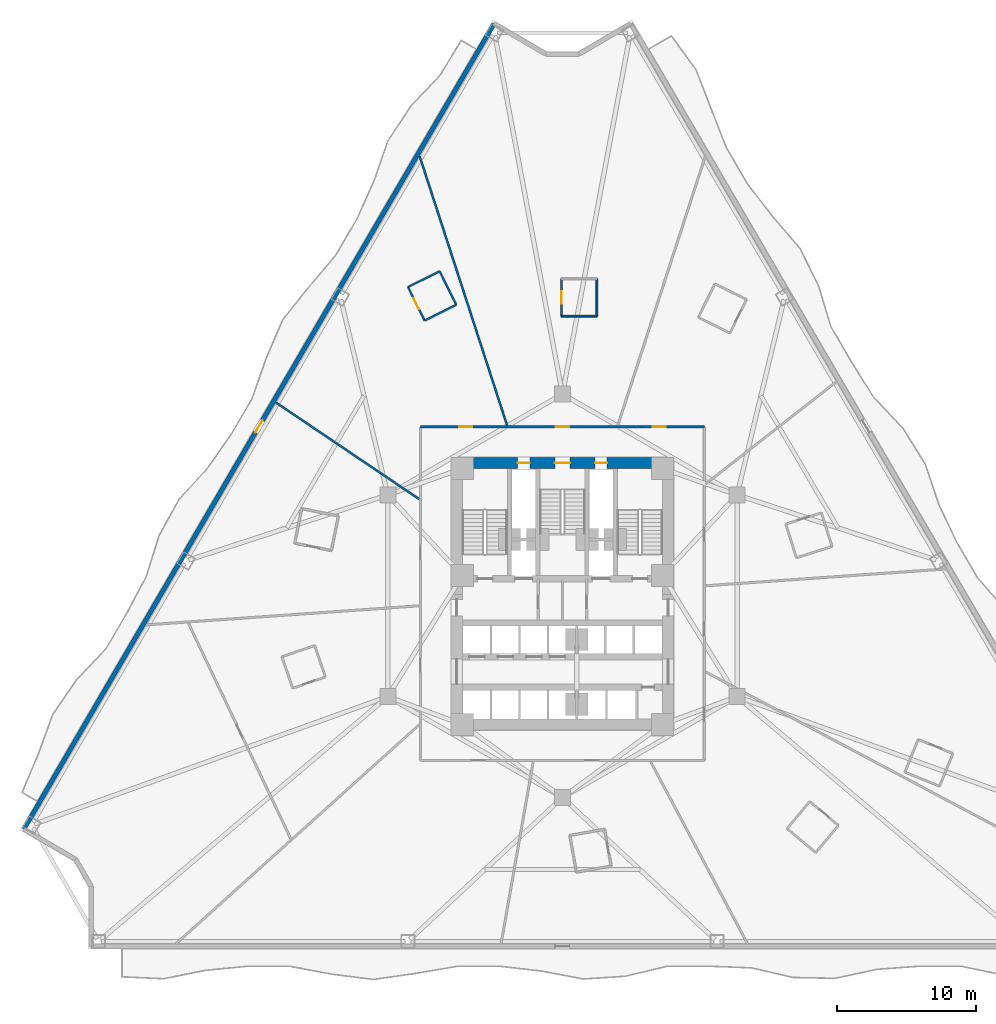
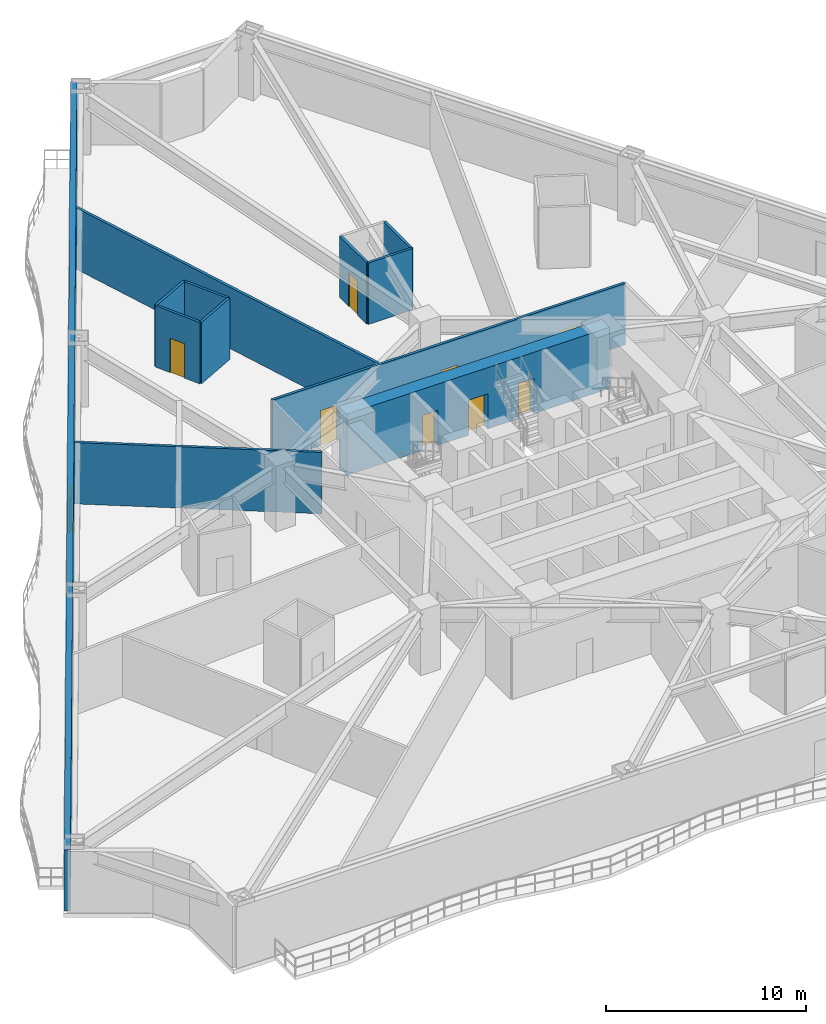
# One storey, part 6 of 12: 12 walls, 9 doors, 9 openings.
"""IFC4 building model written with IfcOpenShell, lengths in metres."""

from ifc_helpers import new_model, si_unit, direction, frame, frame_2d, origin, place, context, subcontext, project, spatial, rectangle, extrude, material, layer, layer_set, type_object, element, fill, save


model = new_model("IFC4")

# Units and contexts
model_context = context("Model", 3, precision=1e-05, world=origin(), true_north=direction((0.0, 1.0)))
body_context = subcontext(model_context, "Body", "Model", "MODEL_VIEW")
ifc_project = project(units=[si_unit("LENGTHUNIT", "METRE"), si_unit("AREAUNIT", "SQUARE_METRE"), si_unit("VOLUMEUNIT", "CUBIC_METRE"), si_unit("PLANEANGLEUNIT", "RADIAN"), si_unit("MASSUNIT", "GRAM", prefix="KILO")], contexts=[model_context])

# Site, building, storey
site_placement = place(None, origin())
site = spatial("IfcSite", under=ifc_project, at=site_placement, CompositionType="ELEMENT")
building_placement = place(site_placement, origin())
building = spatial("IfcBuilding", under=site, at=building_placement, Name="Apsidion Concourse Tower", CompositionType="ELEMENT")
storey_placement = place(building_placement, frame((0.0, 0.0, 34.39990234375)))
storey = spatial("IfcBuildingStorey", under=building, at=storey_placement, Name="L06", CompositionType="ELEMENT", Elevation=34.39990234375)

# Wall, opening, door
ifc_material_1 = material(Name="Precast concrete C40/50", Category="concrete")
ifc_layer_1 = layer(ifc_material_1, 0.320068359375)
ifc_layer_set_1 = layer_set([ifc_layer_1], Name="Precast concrete C40/50")
wall_type_1 = type_object("IfcWallType", Name="WL-EXT-320", PredefinedType="STANDARD", material=ifc_layer_set_1)
wall_1_placement = place(storey_placement, frame((-38.725830078125, -16.7734375, 0.0), z_axis=(0.0, 0.0, 1.0), x_axis=(0.504213113214, 0.863579258935, 0.0)))
wall_1 = element("IfcWall", 1, at=wall_1_placement, inside=storey, type_object=wall_type_1, Name="L06 Precast Stone Facade Wall 09", PredefinedType="STANDARD", context=body_context, shape_type="SweptSolid", body=[
    extrude(rectangle(XDim=67.041015625, YDim=0.320068359375, at=frame_2d((33.5205078125, 0.0))), origin(), (0.0, 0.0, 1.0), 3.75),
])
opening_1_placement = place(wall_1_placement, frame((33.0205078125, 0.0, 0.0)))
opening_1 = element("IfcOpeningElement", 2, at=opening_1_placement, cuts=wall_1, Name="Opening D-T1L", PredefinedType="OPENING", context=body_context, shape_type="SweptSolid", body=[
    extrude(rectangle(XDim=1.0, YDim=2.14990234375, at=frame_2d((0.5, 1.074951171875))), frame((0.0, 0.169921875, 0.0), z_axis=(0.0, -1.0, 0.0), x_axis=(1.0, 0.0, 0.0)), (0.0, 0.0, 1.0), 0.340087890625),
])
ifc_material_2 = material(Name="Anodised aluminium EN AW-6063 T6", Category="aluminium")
door_type_1 = type_object("IfcDoorType", Name="DR-TER-1022L", OperationType="SINGLE_SWING_LEFT", PredefinedType="DOOR", material=ifc_material_2)
door_1_placement = place(opening_1_placement, origin())
door_1 = element("IfcDoor", 3, at=door_1_placement, inside=storey, type_object=door_type_1, Name="L06 Balcony Access Door 1", OperationType="SINGLE_SWING_LEFT", OverallHeight=2.14990234375, OverallWidth=1.0, PredefinedType="DOOR", context=body_context, shape_type="SweptSolid", body=[
    extrude(rectangle(XDim=1.0, YDim=2.14990234375, at=frame_2d((0.5, 1.074951171875))), frame((0.0, 0.02490234375, 0.0), z_axis=(0.0, -1.0, 0.0), x_axis=(1.0, 0.0, 0.0)), (0.0, 0.0, 1.0), 0.050048828125),
])
fill(opening_1, door_1)

# Wall
ifc_material_3 = material(Name="Gypsum plasterboard partition")
ifc_layer_2 = layer(ifc_material_3, 0.139892578125)
ifc_layer_set_2 = layer_set([ifc_layer_2], Name="Gypsum plasterboard partition")
wall_type_2 = type_object("IfcWallType", Name="WL-INT-PAR-140", PredefinedType="PARTITIONING", material=ifc_layer_set_2)
wall_2_placement = place(storey_placement, frame((2.469970703125, 20.103759765625, 0.0), z_axis=(0.0, 0.0, 1.0), x_axis=(0.0, 1.0, 0.0)))
element("IfcWall", 4, at=wall_2_placement, inside=storey, type_object=wall_type_2, Name="L06 Interior Partition WL-L06-POD-ENS07-S1", PredefinedType="PARTITIONING", context=body_context, shape_type="SweptSolid", body=[
    extrude(rectangle(XDim=2.68994140625, YDim=0.139892578125, at=frame_2d((1.344970703125, 0.0))), origin(), (0.0, 0.0, 1.0), 3.75),
])

# Wall, opening, door
wall_3_placement = place(storey_placement, frame((-0.070068359375, 22.793701171875, 0.0), z_axis=(0.0, 0.0, 1.0), x_axis=(0.0, -1.0, 0.0)))
wall_3 = element("IfcWall", 5, at=wall_3_placement, inside=storey, type_object=wall_type_2, Name="L06 Interior Partition WL-L06-POD-ENS07-S3", PredefinedType="PARTITIONING", context=body_context, shape_type="SweptSolid", body=[
    extrude(rectangle(XDim=2.68994140625, YDim=0.139892578125, at=frame_2d((1.344970703125, 0.0))), origin(), (0.0, 0.0, 1.0), 3.75),
])
opening_2_placement = place(wall_3_placement, frame((0.905029296875, 0.0, 0.0)))
opening_2 = element("IfcOpeningElement", 6, at=opening_2_placement, cuts=wall_3, Name="Opening D-03R", PredefinedType="OPENING", context=body_context, shape_type="SweptSolid", body=[
    extrude(rectangle(XDim=0.8798828125, YDim=2.10009765625, at=frame_2d((0.43994140625, 1.050048828125))), frame((0.0, 0.080078125, 0.0), z_axis=(0.0, -1.0, 0.0), x_axis=(1.0, 0.0, 0.0)), (0.0, 0.0, 1.0), 0.159912109375),
])
door_type_2 = type_object("IfcDoorType", Name="DR-INT-D03R", OperationType="SINGLE_SWING_RIGHT", PredefinedType="DOOR", material=ifc_material_2)
door_2_placement = place(opening_2_placement, origin())
door_2 = element("IfcDoor", 7, at=door_2_placement, inside=storey, type_object=door_type_2, Name="L06 Guest En-Suite Bathroom Door ENS07", OperationType="SINGLE_SWING_RIGHT", OverallHeight=2.10009765625, OverallWidth=0.8798828125, PredefinedType="DOOR", context=body_context, shape_type="SweptSolid", body=[
    extrude(rectangle(XDim=0.8798828125, YDim=2.10009765625, at=frame_2d((0.43994140625, 1.050048828125))), frame((0.0, 0.02490234375, 0.0), z_axis=(0.0, -1.0, 0.0), x_axis=(1.0, 0.0, 0.0)), (0.0, 0.0, 1.0), 0.050048828125),
])
fill(opening_2, door_2)

# Walls
wall_4_placement = place(storey_placement, frame((-0.070068359375, 20.103759765625, 0.0), z_axis=(0.0, 0.0, 1.0), x_axis=(1.0, 0.0, 0.0)))
element("IfcWall", 8, at=wall_4_placement, inside=storey, type_object=wall_type_2, Name="L06 Interior Partition WL-L06-POD-ENS07-S4", PredefinedType="PARTITIONING", context=body_context, shape_type="SweptSolid", body=[
    extrude(rectangle(XDim=2.5400390625, YDim=0.139892578125, at=frame_2d((1.27001953125, 0.0))), origin(), (0.0, 0.0, 1.0), 3.75),
])
wall_5_placement = place(storey_placement, frame((-7.634521484375, 20.919921875, 0.0), z_axis=(0.0, 0.0, 1.0), x_axis=(-0.444598005218, 0.895730212595, 0.0)))
element("IfcWall", 9, at=wall_5_placement, inside=storey, type_object=wall_type_2, Name="L06 Interior Partition WL-L06-POD-ENS08-S1", PredefinedType="PARTITIONING", context=body_context, shape_type="SweptSolid", body=[
    extrude(rectangle(XDim=2.690185546875, YDim=0.139892578125, at=frame_2d((1.34521484375, 0.0))), origin(), (0.0, 0.0, 1.0), 3.75),
])
wall_6_placement = place(storey_placement, frame((-8.83056640625, 23.32958984375, 0.0), z_axis=(0.0, 0.0, 1.0), x_axis=(-0.895711445352, -0.444635813521, 0.0)))
element("IfcWall", 10, at=wall_6_placement, inside=storey, type_object=wall_type_2, Name="L06 Interior Partition WL-L06-POD-ENS08-S2", PredefinedType="PARTITIONING", context=body_context, shape_type="SweptSolid", body=[
    extrude(rectangle(XDim=2.5400390625, YDim=0.139892578125, at=frame_2d((1.27001953125, 0.0))), origin(), (0.0, 0.0, 1.0), 3.75),
])

# Wall, opening, door
wall_7_placement = place(storey_placement, frame((-11.105712890625, 22.2001953125, 0.0), z_axis=(0.0, 0.0, 1.0), x_axis=(0.444706961712, -0.895676123498, 0.0)))
wall_7 = element("IfcWall", 11, at=wall_7_placement, inside=storey, type_object=wall_type_2, Name="L06 Interior Partition WL-L06-POD-ENS08-S3", PredefinedType="PARTITIONING", context=body_context, shape_type="SweptSolid", body=[
    extrude(rectangle(XDim=2.68994140625, YDim=0.139892578125, at=frame_2d((1.344970703125, 0.0))), origin(), (0.0, 0.0, 1.0), 3.75),
])
opening_3_placement = place(wall_7_placement, frame((0.905029296875, 0.0, 0.0)))
opening_3 = element("IfcOpeningElement", 12, at=opening_3_placement, cuts=wall_7, Name="Opening D-03L", PredefinedType="OPENING", context=body_context, shape_type="SweptSolid", body=[
    extrude(rectangle(XDim=0.8798828125, YDim=2.10009765625, at=frame_2d((0.43994140625, 1.050048828125))), frame((0.0, 0.080078125, 0.0), z_axis=(0.0, -1.0, 0.0), x_axis=(1.0, 0.0, 0.0)), (0.0, 0.0, 1.0), 0.159912109375),
])
door_type_3 = type_object("IfcDoorType", Name="DR-INT-D03L", OperationType="SINGLE_SWING_LEFT", PredefinedType="DOOR", material=ifc_material_2)
door_3_placement = place(opening_3_placement, origin())
door_3 = element("IfcDoor", 13, at=door_3_placement, inside=storey, type_object=door_type_3, Name="L06 Guest En-Suite Bathroom Door ENS08", OperationType="SINGLE_SWING_LEFT", OverallHeight=2.10009765625, OverallWidth=0.8798828125, PredefinedType="DOOR", context=body_context, shape_type="SweptSolid", body=[
    extrude(rectangle(XDim=0.8798828125, YDim=2.10009765625, at=frame_2d((0.43994140625, 1.050048828125))), frame((0.0, 0.02490234375, 0.0), z_axis=(0.0, -1.0, 0.0), x_axis=(1.0, 0.0, 0.0)), (0.0, 0.0, 1.0), 0.050048828125),
])
fill(opening_3, door_3)

# Wall
wall_8_placement = place(storey_placement, frame((-9.909423828125, 19.790771484375, 0.0), z_axis=(0.0, 0.0, 1.0), x_axis=(0.895730724579, 0.444596973726, 0.0)))
element("IfcWall", 14, at=wall_8_placement, inside=storey, type_object=wall_type_2, Name="L06 Interior Partition WL-L06-POD-ENS08-S4", PredefinedType="PARTITIONING", context=body_context, shape_type="SweptSolid", body=[
    extrude(rectangle(XDim=2.539794921875, YDim=0.139892578125, at=frame_2d((1.27001953125, 0.0))), origin(), (0.0, 0.0, 1.0), 3.75),
])

# Wall, openings, doors
ifc_layer_3 = layer(ifc_material_3, 0.14990234375)
ifc_layer_set_3 = layer_set([ifc_layer_3], Name="Gypsum plasterboard partition")
wall_type_3 = type_object("IfcWallType", Name="WL-INT-PAR-150", PredefinedType="PARTITIONING", material=ifc_layer_set_3)
wall_9_placement = place(storey_placement, frame((-10.199951171875, 12.14990234375, 0.0), z_axis=(0.0, 0.0, 1.0), x_axis=(1.0, 0.0, 0.0)))
wall_9 = element("IfcWall", 15, at=wall_9_placement, inside=storey, type_object=wall_type_3, Name="L06 Interior Partition WL-L06-CORR-01", PredefinedType="PARTITIONING", context=body_context, shape_type="SweptSolid", body=[
    extrude(rectangle(XDim=20.39990234375, YDim=0.14990234375, at=frame_2d((10.199951171875, 0.0))), origin(), (0.0, 0.0, 1.0), 3.75),
])
opening_4_placement = place(wall_9_placement, frame((16.685546875, 0.0, 0.0)))
opening_4 = element("IfcOpeningElement", 16, at=opening_4_placement, cuts=wall_9, Name="Opening D-01L", PredefinedType="OPENING", context=body_context, shape_type="SweptSolid", body=[
    extrude(rectangle(XDim=0.949951171875, YDim=2.14990234375, at=frame_2d((0.47509765625, 1.074951171875))), frame((0.0, 0.0849609375, 0.0), z_axis=(0.0, -1.0, 0.0), x_axis=(1.0, 0.0, 0.0)), (0.0, 0.0, 1.0), 0.169921875),
])
opening_5_placement = place(wall_9_placement, frame((9.72509765625, 0.0, 0.0)))
opening_5 = element("IfcOpeningElement", 17, at=opening_5_placement, cuts=wall_9, Name="Opening D-01R", PredefinedType="OPENING", context=body_context, shape_type="SweptSolid", body=[
    extrude(rectangle(XDim=0.949951171875, YDim=2.14990234375, at=frame_2d((0.47509765625, 1.074951171875))), frame((0.0, 0.0849609375, 0.0), z_axis=(0.0, -1.0, 0.0), x_axis=(1.0, 0.0, 0.0)), (0.0, 0.0, 1.0), 0.169921875),
])
opening_6_placement = place(wall_9_placement, frame((2.764404296875, 0.0, 0.0)))
opening_6 = element("IfcOpeningElement", 18, at=opening_6_placement, cuts=wall_9, Name="Opening D-01L", PredefinedType="OPENING", context=body_context, shape_type="SweptSolid", body=[
    extrude(rectangle(XDim=0.949951171875, YDim=2.14990234375, at=frame_2d((0.47509765625, 1.074951171875))), frame((0.0, 0.0849609375, 0.0), z_axis=(0.0, -1.0, 0.0), x_axis=(1.0, 0.0, 0.0)), (0.0, 0.0, 1.0), 0.169921875),
])
ifc_material_4 = material(Name="Brushed stainless steel 316", Category="steel")
door_type_4 = type_object("IfcDoorType", Name="DR-INT-D01L", OperationType="SINGLE_SWING_LEFT", PredefinedType="DOOR", material=ifc_material_4)
door_4_placement = place(opening_4_placement, origin())
door_4 = element("IfcDoor", 19, at=door_4_placement, inside=storey, type_object=door_type_4, Name="L06 Corridor Entry Door 07", OperationType="SINGLE_SWING_LEFT", OverallHeight=2.14990234375, OverallWidth=0.949951171875, PredefinedType="DOOR", context=body_context, shape_type="SweptSolid", body=[
    extrude(rectangle(XDim=0.949951171875, YDim=2.14990234375, at=frame_2d((0.47509765625, 1.074951171875))), frame((0.0, 0.02490234375, 0.0), z_axis=(0.0, -1.0, 0.0), x_axis=(1.0, 0.0, 0.0)), (0.0, 0.0, 1.0), 0.050048828125),
])
fill(opening_4, door_4)
door_5_placement = place(opening_6_placement, origin())
door_5 = element("IfcDoor", 20, at=door_5_placement, inside=storey, type_object=door_type_4, Name="L06 Corridor Entry Door 09", OperationType="SINGLE_SWING_LEFT", OverallHeight=2.14990234375, OverallWidth=0.949951171875, PredefinedType="DOOR", context=body_context, shape_type="SweptSolid", body=[
    extrude(rectangle(XDim=0.949951171875, YDim=2.14990234375, at=frame_2d((0.47509765625, 1.074951171875))), frame((0.0, 0.02490234375, 0.0), z_axis=(0.0, -1.0, 0.0), x_axis=(1.0, 0.0, 0.0)), (0.0, 0.0, 1.0), 0.050048828125),
])
fill(opening_6, door_5)
door_type_5 = type_object("IfcDoorType", Name="DR-INT-D01R", OperationType="SINGLE_SWING_RIGHT", PredefinedType="DOOR", material=ifc_material_4)
door_6_placement = place(opening_5_placement, origin())
door_6 = element("IfcDoor", 21, at=door_6_placement, inside=storey, type_object=door_type_5, Name="L06 Corridor Entry Door 08", OperationType="SINGLE_SWING_RIGHT", OverallHeight=2.14990234375, OverallWidth=0.949951171875, PredefinedType="DOOR", context=body_context, shape_type="SweptSolid", body=[
    extrude(rectangle(XDim=0.949951171875, YDim=2.14990234375, at=frame_2d((0.47509765625, 1.074951171875))), frame((0.0, 0.02490234375, 0.0), z_axis=(0.0, -1.0, 0.0), x_axis=(1.0, 0.0, 0.0)), (0.0, 0.0, 1.0), 0.050048828125),
])
fill(opening_5, door_6)

# Walls
wall_10_placement = place(storey_placement, frame((-3.98193359375, 12.2548828125, 0.0), z_axis=(0.0, 0.0, 1.0), x_axis=(-0.309011216684, 0.951058393561, 0.0)))
element("IfcWall", 22, at=wall_10_placement, inside=storey, type_object=wall_type_3, Name="L06 Interior Partition WL-L06-RAD-04-1", PredefinedType="PARTITIONING", context=body_context, shape_type="SweptSolid", body=[
    extrude(rectangle(XDim=20.3544921875, YDim=0.14990234375, at=frame_2d((10.17724609375, 0.0))), origin(), (0.0, 0.0, 1.0), 3.75),
])
wall_11_placement = place(storey_placement, frame((-10.304931640625, 6.95068359375, 0.0), z_axis=(0.0, 0.0, 1.0), x_axis=(-0.829038255968, 0.559191890268, 0.0)))
element("IfcWall", 23, at=wall_11_placement, inside=storey, type_object=wall_type_3, Name="L06 Interior Partition WL-L06-RAD-05-1", PredefinedType="PARTITIONING", context=body_context, shape_type="SweptSolid", body=[
    extrude(rectangle(XDim=12.432861328125, YDim=0.14990234375, at=frame_2d((6.21630859375, 0.0))), origin(), (0.0, 0.0, 1.0), 3.75),
])

# Wall, openings, doors
ifc_material_5 = material(Name="Concrete C60/75", Category="concrete")
ifc_layer_4 = layer(ifc_material_5, 0.800048828125)
ifc_layer_set_4 = layer_set([ifc_layer_4], Name="Concrete C60/75")
wall_type_4 = type_object("IfcWallType", Name="WL-SH-800", PredefinedType="SHEAR", material=ifc_layer_set_4)
wall_12_placement = place(storey_placement, frame((-7.60009765625, 9.550048828125, 0.0), z_axis=(0.0, 0.0, 1.0), x_axis=(1.0, 0.0, 0.0)))
wall_12 = element("IfcWall", 24, at=wall_12_placement, inside=storey, type_object=wall_type_4, Name="L06 Central Core Shear Wall N", PredefinedType="SHEAR", context=body_context, shape_type="SweptSolid", body=[
    extrude(rectangle(XDim=15.2001953125, YDim=0.800048828125, at=frame_2d((7.60009765625, 0.0))), origin(), (0.0, 0.0, 1.0), 3.75),
])
opening_7_placement = place(wall_12_placement, frame((7.050048828125, 0.0, 0.0)))
opening_7 = element("IfcOpeningElement", 25, at=opening_7_placement, cuts=wall_12, Name="Opening D-STL", PredefinedType="OPENING", context=body_context, shape_type="SweptSolid", body=[
    extrude(rectangle(XDim=1.10009765625, YDim=2.14990234375, at=frame_2d((0.550048828125, 1.074951171875))), frame((0.0, 0.41015625, 0.0), z_axis=(0.0, -1.0, 0.0), x_axis=(1.0, 0.0, 0.0)), (0.0, 0.0, 1.0), 0.820068359375),
])
opening_8_placement = place(wall_12_placement, frame((4.3798828125, 0.0, 0.0)))
opening_8 = element("IfcOpeningElement", 26, at=opening_8_placement, cuts=wall_12, Name="Opening D-05L", PredefinedType="OPENING", context=body_context, shape_type="SweptSolid", body=[
    extrude(rectangle(XDim=0.8798828125, YDim=2.14990234375, at=frame_2d((0.43994140625, 1.074951171875))), frame((0.0, 0.41015625, 0.0), z_axis=(0.0, -1.0, 0.0), x_axis=(1.0, 0.0, 0.0)), (0.0, 0.0, 1.0), 0.820068359375),
])
opening_9_placement = place(wall_12_placement, frame((9.93994140625, 0.0, 0.0)))
opening_9 = element("IfcOpeningElement", 27, at=opening_9_placement, cuts=wall_12, Name="Opening D-05R", PredefinedType="OPENING", context=body_context, shape_type="SweptSolid", body=[
    extrude(rectangle(XDim=0.8798828125, YDim=2.14990234375, at=frame_2d((0.43994140625, 1.074951171875))), frame((0.0, 0.41015625, 0.0), z_axis=(0.0, -1.0, 0.0), x_axis=(1.0, 0.0, 0.0)), (0.0, 0.0, 1.0), 0.820068359375),
])
door_type_6 = type_object("IfcDoorType", Name="DR-INT-D05L", OperationType="SINGLE_SWING_LEFT", PredefinedType="DOOR", material=ifc_material_4)
door_7_placement = place(opening_8_placement, origin())
door_7 = element("IfcDoor", 28, at=door_7_placement, inside=storey, type_object=door_type_6, Name="L06 Electrical Riser Shaft Access Door", OperationType="SINGLE_SWING_LEFT", OverallHeight=2.14990234375, OverallWidth=0.8798828125, PredefinedType="DOOR", context=body_context, shape_type="SweptSolid", body=[
    extrude(rectangle(XDim=0.8798828125, YDim=2.14990234375, at=frame_2d((0.43994140625, 1.074951171875))), frame((0.0, 0.02490234375, 0.0), z_axis=(0.0, -1.0, 0.0), x_axis=(1.0, 0.0, 0.0)), (0.0, 0.0, 1.0), 0.050048828125),
])
fill(opening_8, door_7)
door_type_7 = type_object("IfcDoorType", Name="DR-INT-D05R", OperationType="SINGLE_SWING_RIGHT", PredefinedType="DOOR", material=ifc_material_4)
door_8_placement = place(opening_9_placement, origin())
door_8 = element("IfcDoor", 29, at=door_8_placement, inside=storey, type_object=door_type_7, Name="L06 Mechanical Riser Shaft Access Door", OperationType="SINGLE_SWING_RIGHT", OverallHeight=2.14990234375, OverallWidth=0.8798828125, PredefinedType="DOOR", context=body_context, shape_type="SweptSolid", body=[
    extrude(rectangle(XDim=0.8798828125, YDim=2.14990234375, at=frame_2d((0.43994140625, 1.074951171875))), frame((0.0, 0.02490234375, 0.0), z_axis=(0.0, -1.0, 0.0), x_axis=(1.0, 0.0, 0.0)), (0.0, 0.0, 1.0), 0.050048828125),
])
fill(opening_9, door_8)
door_type_8 = type_object("IfcDoorType", Name="DR-INT-ST1L", OperationType="SINGLE_SWING_LEFT", PredefinedType="DOOR", material=ifc_material_4)
door_9_placement = place(opening_7_placement, origin())
door_9 = element("IfcDoor", 30, at=door_9_placement, inside=storey, type_object=door_type_8, Name="L06 Core Exit Stair ST3 Door", OperationType="SINGLE_SWING_LEFT", OverallHeight=2.14990234375, OverallWidth=1.10009765625, PredefinedType="DOOR", context=body_context, shape_type="SweptSolid", body=[
    extrude(rectangle(XDim=1.10009765625, YDim=2.14990234375, at=frame_2d((0.550048828125, 1.074951171875))), frame((0.0, 0.02490234375, 0.0), z_axis=(0.0, -1.0, 0.0), x_axis=(1.0, 0.0, 0.0)), (0.0, 0.0, 1.0), 0.050048828125),
])
fill(opening_7, door_9)

save(model, "model.ifc")
